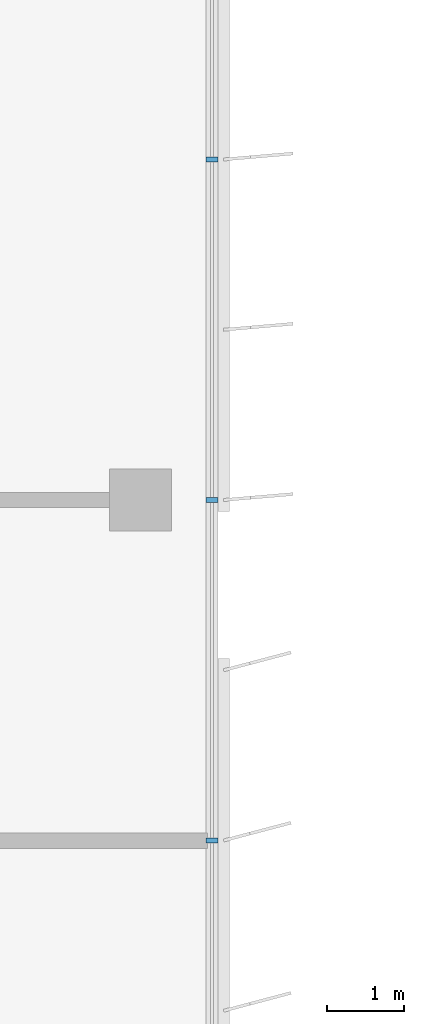
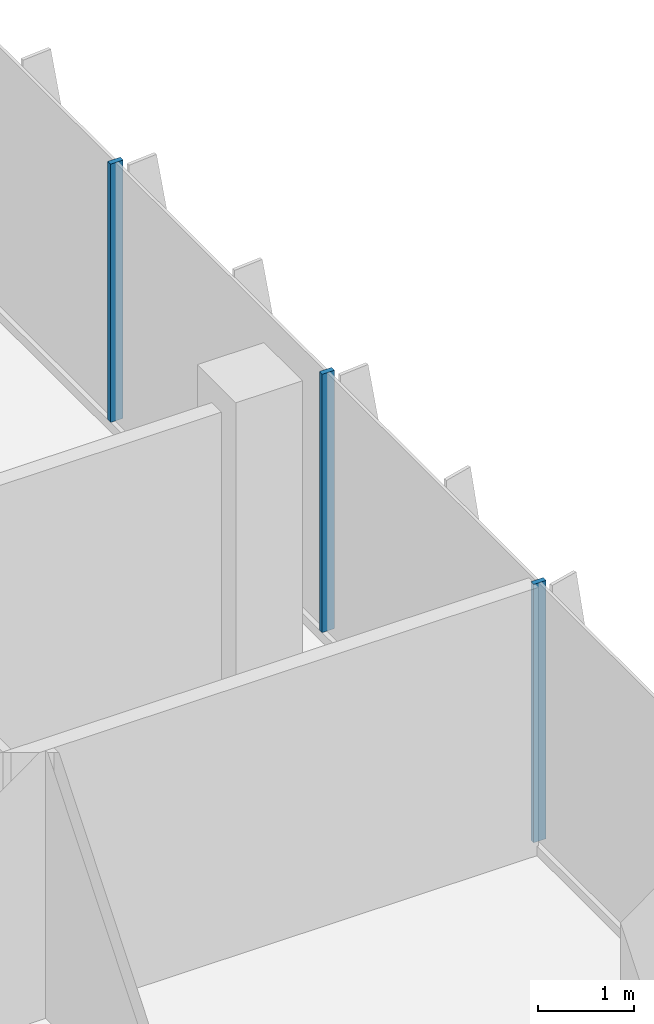
# One storey, part 4 of 15: 3 members, 1 element without a shape of its own.
"""IFC4 building model written with IfcOpenShell, lengths in metres."""

from ifc_helpers import new_model, si_unit, direction, frame, origin, origin_2d, place, context, subcontext, project, spatial, rectangle, extrude, source, transform, mapped, material, material_profile, profile_set, type_object, element, aggregate, save


model = new_model("IFC4")

# Units and contexts
model_context = context("Model", 3, precision=1e-05, world=origin(), true_north=direction((0.0, 1.0)))
body_context = subcontext(model_context, "Body", "Model", "MODEL_VIEW")
ifc_project = project(units=[si_unit("LENGTHUNIT", "METRE"), si_unit("AREAUNIT", "SQUARE_METRE"), si_unit("VOLUMEUNIT", "CUBIC_METRE"), si_unit("PLANEANGLEUNIT", "RADIAN"), si_unit("MASSUNIT", "GRAM", prefix="KILO")], contexts=[model_context])

# Site, building, storey
site_placement = place(None, origin())
site = spatial("IfcSite", under=ifc_project, at=site_placement, CompositionType="ELEMENT")
building_placement = place(site_placement, origin())
building = spatial("IfcBuilding", under=site, at=building_placement, Name="Kemantara Hotel Tower", CompositionType="ELEMENT")
storey_placement = place(building_placement, frame((0.0, 0.0, 230.199951171875)))
storey = spatial("IfcBuildingStorey", under=building, at=storey_placement, Name="L57", CompositionType="ELEMENT", Elevation=230.199951171875)

# Curtain wall, members
ifc_material_1 = material(Name="Low-E tinted double insulated glass 36 mm", Category="glass")
curtain_wall_type = type_object("IfcCurtainWallType", Name="TOWER CURTAIN WALL, FRONT FACES", PredefinedType="USERDEFINED", material=ifc_material_1)
curtain_wall_placement = place(storey_placement, origin())
curtain_wall = element("IfcCurtainWall", 1, at=curtain_wall_placement, inside=storey, type_object=curtain_wall_type, Name="CW4 L57 T4-R15-1", ObjectType="TOWER CURTAIN WALL, FRONT FACES", PredefinedType="USERDEFINED")
ifc_material_2 = material(Name="Aluminium 6063-T6 bronze anodised", Category="aluminium")
ifc_material_profile = material_profile(ifc_material_2, rectangle(XDim=0.14990234375, YDim=0.06005859375, at=origin_2d()), Name="TOWER CURTAIN WALL, FRONT FACES MULLION")
ifc_profile_set = profile_set([ifc_material_profile], Name="Aluminium 6063-T6 bronze anodised")
member_type = type_object("IfcMemberType", Name="TOWER CURTAIN WALL, FRONT FACES MULLION", PredefinedType="MULLION", material=ifc_profile_set)
shared_shape = source(origin(), body_context, "Body", "SweptSolid", [
    extrude(rectangle(XDim=0.14990234375, YDim=0.06005859375, at=origin_2d()), origin(), (0.0, 0.0, 1.0), 3.280029296875),
])
member_1_placement = place(storey_placement, frame((21.925048828125, 31.800048828125, 0.1201171875), z_axis=(0.0, 0.0, 1.0), x_axis=(-1.0, 0.0, 0.0)))
member_1 = element("IfcMember", 2, at=member_1_placement, type_object=member_type, Name="CW4 mullion T4-R15-1.3", PredefinedType="MULLION", context=body_context, shape_type="MappedRepresentation", body=[
    mapped(shared_shape, transform((0.0, 0.0, 0.0))),
])
member_2_placement = place(storey_placement, frame((21.925048828125, 36.199951171875, 0.1201171875), z_axis=(0.0, 0.0, 1.0), x_axis=(-1.0, 0.0, 0.0)))
member_2 = element("IfcMember", 3, at=member_2_placement, type_object=member_type, Name="CW4 mullion T4-R15-1.4", PredefinedType="MULLION", context=body_context, shape_type="MappedRepresentation", body=[
    mapped(shared_shape, transform((0.0, 0.0, 0.0))),
])
member_3_placement = place(storey_placement, frame((21.925048828125, 40.60009765625, 0.1201171875), z_axis=(0.0, 0.0, 1.0), x_axis=(-1.0, 0.0, 0.0)))
member_3 = element("IfcMember", 4, at=member_3_placement, type_object=member_type, Name="CW4 mullion T4-R15-1.5", PredefinedType="MULLION", context=body_context, shape_type="MappedRepresentation", body=[
    mapped(shared_shape, transform((0.0, 0.0, 0.0))),
])
aggregate(curtain_wall, [member_1, member_2, member_3])

save(model, "model.ifc")
